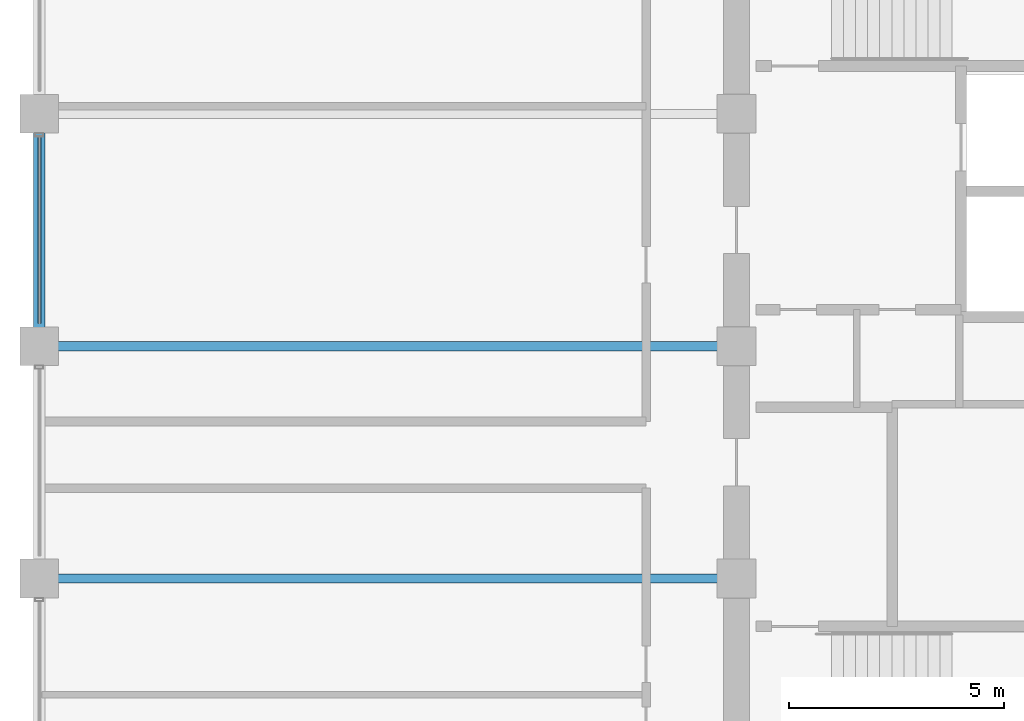
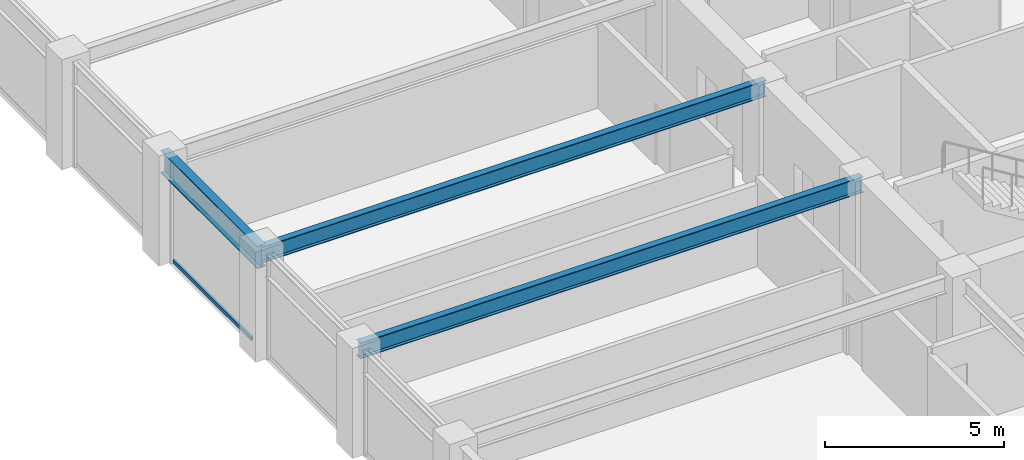
# One storey, part 9 of 32: 3 beams, 1 member, 1 element without a shape of its own.
"""IFC4 building model written with IfcOpenShell, lengths in metres."""

from ifc_helpers import new_model, si_unit, direction, frame, origin, origin_2d, place, context, subcontext, project, spatial, hollow_rectangle, i_section, extrude, material, layer, layer_set, material_profile, profile_set, type_object, element, aggregate, save


model = new_model("IFC4")

# Units and contexts
model_context = context("Model", 3, precision=1e-05, world=origin(), true_north=direction((0.0, 1.0)))
body_context = subcontext(model_context, "Body", "Model", "MODEL_VIEW")
ifc_project = project(units=[si_unit("LENGTHUNIT", "METRE"), si_unit("AREAUNIT", "SQUARE_METRE"), si_unit("VOLUMEUNIT", "CUBIC_METRE"), si_unit("PLANEANGLEUNIT", "RADIAN"), si_unit("MASSUNIT", "GRAM", prefix="KILO")], contexts=[model_context])

# Site, building, storey
site_placement = place(None, origin())
site = spatial("IfcSite", under=ifc_project, at=site_placement, CompositionType="ELEMENT")
building_placement = place(site_placement, origin())
building = spatial("IfcBuilding", under=site, at=building_placement, Name="Surkhivell Harbour Commons", CompositionType="ELEMENT")
storey_placement = place(building_placement, frame((0.0, 0.0, 208.5)))
storey = spatial("IfcBuildingStorey", under=building, at=storey_placement, Name="L54", CompositionType="ELEMENT", Elevation=208.5)

# Beams
ifc_material_1 = material(Name="Steel S355", Category="steel")
ifc_material_profile_1 = material_profile(ifc_material_1, i_section(OverallWidth=0.2119140625, OverallDepth=0.5439453125, WebThickness=0.0126953125, FlangeThickness=0.021240234375, at=origin_2d()), Name="UB533x210x122")
ifc_profile_set_1 = profile_set([ifc_material_profile_1], Name="Steel S355")
beam_type_1 = type_object("IfcBeamType", Name="BM-GRD-533A", PredefinedType="BEAM", material=ifc_profile_set_1)
for number, where, z_axis, x_axis, name in (
    (1, (-27.0, -5.39990234375, 3.298095703125), (1.0, 0.0, 0.0), (0.0, 1.0, 0.0), "L54 Floor Girder (-27.0,-5.4)"),
    (2, (-27.0, 0.0, 3.298095703125), (1.0, 0.0, 0.0), (0.0, 1.0, 0.0), "L54 Floor Girder (-27.0,0.0)"),
):
    element("IfcBeam", number, at=place(storey_placement, frame(where, z_axis=z_axis, x_axis=x_axis)), inside=storey, type_object=beam_type_1, Name=name, PredefinedType="BEAM", context=body_context, shape_type="SweptSolid", body=[
        extrude(i_section(OverallWidth=0.2119140625, OverallDepth=0.5439453125, WebThickness=0.0126953125, FlangeThickness=0.021240234375, at=origin_2d()), origin(), (0.0, 0.0, 1.0), 16.199951171875),
    ])
ifc_material_profile_2 = material_profile(ifc_material_1, i_section(OverallWidth=0.26806640625, OverallDepth=0.77001953125, WebThickness=0.015625, FlangeThickness=0.025390625, at=origin_2d()), Name="UB762x267x197")
ifc_profile_set_2 = profile_set([ifc_material_profile_2], Name="Steel S355")
beam_type_2 = type_object("IfcBeamType", Name="BM-SPN-762", PredefinedType="SPANDREL", material=ifc_profile_set_2)
beam_placement = place(storey_placement, frame((-27.0, 0.0, 3.18505859375), z_axis=(0.0, 1.0, 0.0), x_axis=(-1.0, 0.0, 0.0)))
element("IfcBeam", 3, at=beam_placement, inside=storey, type_object=beam_type_2, Name="L54 Tube Spandrel (-27.0,0.0)", PredefinedType="SPANDREL", context=body_context, shape_type="SweptSolid", body=[
    extrude(i_section(OverallWidth=0.26806640625, OverallDepth=0.77001953125, WebThickness=0.015625, FlangeThickness=0.025390625, at=origin_2d()), origin(), (0.0, 0.0, 1.0), 5.39990234375),
])

# Curtain wall, member
ifc_material_2 = material(Name="Anodised pale-metal aluminium and insulated glazing", Category="aluminium")
ifc_layer = layer(ifc_material_2, 0.18994140625)
ifc_layer_set = layer_set([ifc_layer], Name="Anodised pale-metal aluminium and insulated glazing")
curtain_wall_type = type_object("IfcCurtainWallType", Name="CW-SYS-Z3", PredefinedType="NOTDEFINED", material=ifc_layer_set)
curtain_wall_placement = place(storey_placement, origin())
curtain_wall = element("IfcCurtainWall", 4, at=curtain_wall_placement, inside=storey, type_object=curtain_wall_type, Name="L54 Curtain Wall CW-L54-E12S1", PredefinedType="NOTDEFINED")
ifc_material_3 = material(Name="Champagne anodised aluminium alloy 6063-T6", Category="aluminium")
ifc_material_profile_3 = material_profile(ifc_material_3, hollow_rectangle(XDim=0.070068359375, YDim=0.1298828125, WallThickness=0.00341796875, at=origin_2d()), Name="ALU-TRAN-70x130")
ifc_profile_set_3 = profile_set([ifc_material_profile_3], Name="Champagne anodised aluminium alloy 6063-T6")
member_type = type_object("IfcMemberType", Name="CWT-130", PredefinedType="USERDEFINED", material=ifc_profile_set_3)
member_placement = place(storey_placement, frame((-27.0, 4.873046875, 0.06494140625), z_axis=(0.0, -1.0, 0.0), x_axis=(1.0, 0.0, 0.0)))
member = element("IfcMember", 5, at=member_placement, type_object=member_type, Name="CW-Z3 transom 4.1", ObjectType="TRANSOM", PredefinedType="USERDEFINED", context=body_context, shape_type="SweptSolid", body=[
    extrude(hollow_rectangle(XDim=0.070068359375, YDim=0.1298828125, WallThickness=0.00341796875, at=origin_2d()), origin(), (0.0, 0.0, 1.0), 4.345947265625),
])
aggregate(curtain_wall, [member])

save(model, "model.ifc")
